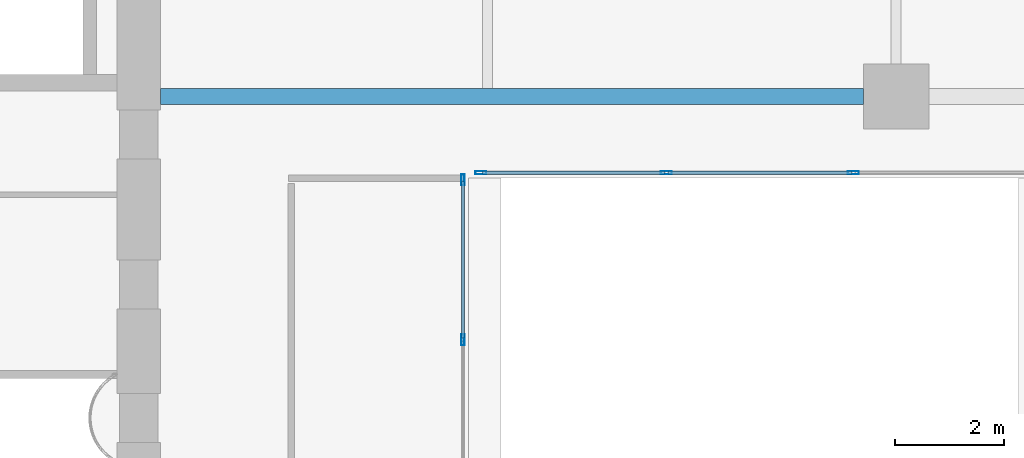
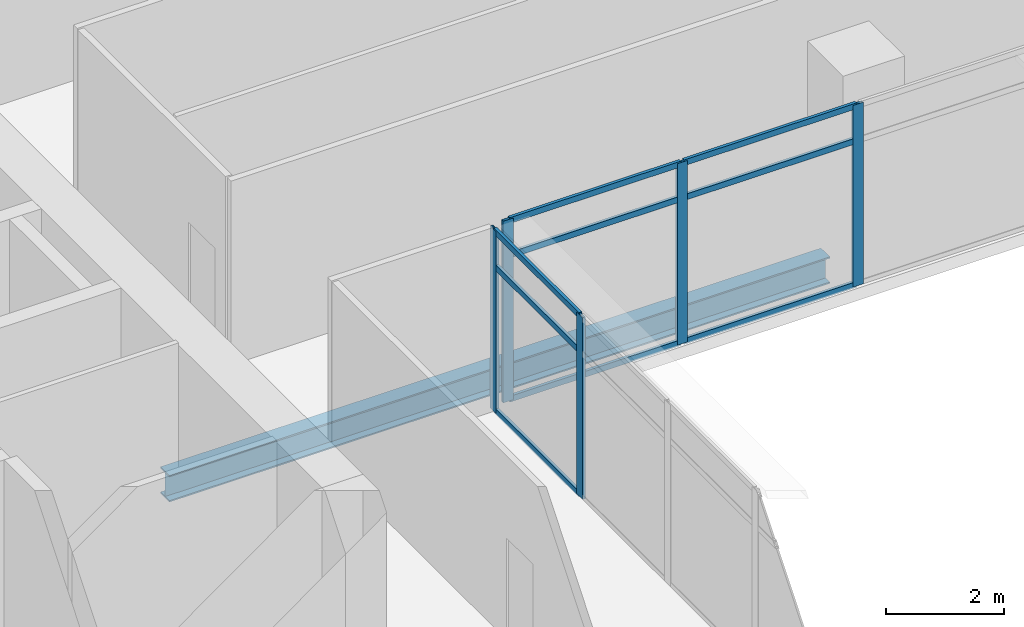
# One storey, part 7 of 38: 14 members, 1 beam, 2 elements without a shape of their own.
"""IFC4 building model written with IfcOpenShell, lengths in metres."""

from ifc_helpers import new_model, si_unit, direction, frame, origin, origin_2d, place, context, subcontext, project, spatial, hollow_rectangle, i_section, extrude, source, transform, mapped, material, material_profile, profile_set, type_object, element, aggregate, save


model = new_model("IFC4")

# Units and contexts
model_context = context("Model", 3, precision=1e-05, world=origin(), true_north=direction((0.0, 1.0)))
body_context = subcontext(model_context, "Body", "Model", "MODEL_VIEW")
ifc_project = project(units=[si_unit("LENGTHUNIT", "METRE"), si_unit("AREAUNIT", "SQUARE_METRE"), si_unit("VOLUMEUNIT", "CUBIC_METRE"), si_unit("PLANEANGLEUNIT", "RADIAN"), si_unit("MASSUNIT", "GRAM", prefix="KILO")], contexts=[model_context])

# Site, building, storey
site_placement = place(None, origin())
site = spatial("IfcSite", under=ifc_project, at=site_placement, CompositionType="ELEMENT")
building_placement = place(site_placement, origin())
building = spatial("IfcBuilding", under=site, at=building_placement, Name="Khomas Fold Tower", CompositionType="ELEMENT")
storey_placement = place(building_placement, frame((0.0, 0.0, 172.699951171875)))
storey = spatial("IfcBuildingStorey", under=building, at=storey_placement, Name="L37", CompositionType="ELEMENT", Elevation=172.699951171875)

# Beam
ifc_material_1 = material(Name="Steel S355", Category="steel")
ifc_material_profile_1 = material_profile(ifc_material_1, i_section(OverallWidth=0.300048828125, OverallDepth=0.550048828125, WebThickness=0.014892578125, FlangeThickness=0.029052734375, at=origin_2d()), Name="HE 550 B")
ifc_profile_set_1 = profile_set([ifc_material_profile_1], Name="Steel S355")
beam_type = type_object("IfcBeamType", Name="HE 550 B beam GB4", PredefinedType="BEAM", material=ifc_profile_set_1)
shared_shape_1 = source(origin(), body_context, "Body", "SweptSolid", [
    extrude(i_section(OverallWidth=0.300048828125, OverallDepth=0.550048828125, WebThickness=0.014892578125, FlangeThickness=0.029052734375, at=origin_2d()), origin(), (0.0, 0.0, 1.0), 12.89990234375),
])
beam_placement = place(storey_placement, frame((21.0, 22.5, -0.52490234375), z_axis=(1.0, 0.0, 0.0), x_axis=(0.0, 1.0, 0.0)))
element("IfcBeam", 1, at=beam_placement, inside=storey, type_object=beam_type, Name="GB4", PredefinedType="BEAM", context=body_context, shape_type="MappedRepresentation", body=[
    mapped(shared_shape_1, transform((0.0, 0.0, 0.0))),
])

# Curtain wall, members
ifc_material_2 = material(Name="Aluminium framed double glazing", Category="aluminium")
curtain_wall_type = type_object("IfcCurtainWallType", Name="Notch glazing GN-CW", PredefinedType="NOTDEFINED", material=ifc_material_2)
curtain_wall_1_placement = place(storey_placement, origin())
curtain_wall_1 = element("IfcCurtainWall", 2, at=curtain_wall_1_placement, inside=storey, type_object=curtain_wall_type, Name="Notch glazing run", PredefinedType="NOTDEFINED")
ifc_material_3 = material(Name="Aluminium", Category="aluminium")
ifc_material_profile_2 = material_profile(ifc_material_3, hollow_rectangle(XDim=0.06005859375, YDim=0.1201171875, WallThickness=0.00390625, at=origin_2d()), Name="Notch glazing transom GN-CW-T")
ifc_profile_set_2 = profile_set([ifc_material_profile_2], Name="Aluminium")
member_type_1 = type_object("IfcMemberType", Name="Notch glazing transom GN-CW-T", PredefinedType="USERDEFINED", material=ifc_profile_set_2)
shared_shape_2 = source(origin(), body_context, "Body", "SweptSolid", [
    extrude(hollow_rectangle(XDim=0.06005859375, YDim=0.1201171875, WallThickness=0.00390625, at=origin_2d()), origin(), (0.0, 0.0, 1.0), 2.876708984375),
])
member_1_placement = place(storey_placement, frame((26.550048828125, 18.063232421875, 0.030029296875), z_axis=(0.0, 1.0, 0.0), x_axis=(-1.0, 0.0, 0.0)))
member_1 = element("IfcMember", 3, at=member_1_placement, type_object=member_type_1, Name="GN-CW transom 6.1", ObjectType="TRANSOM", PredefinedType="USERDEFINED", context=body_context, shape_type="MappedRepresentation", body=[
    mapped(shared_shape_2, transform((0.0, 0.0, 0.0))),
])
member_2_placement = place(storey_placement, frame((26.550048828125, 18.063232421875, 3.0), z_axis=(0.0, 1.0, 0.0), x_axis=(-1.0, 0.0, 0.0)))
member_2 = element("IfcMember", 4, at=member_2_placement, type_object=member_type_1, Name="GN-CW transom 6.2", ObjectType="TRANSOM", PredefinedType="USERDEFINED", context=body_context, shape_type="MappedRepresentation", body=[
    mapped(shared_shape_2, transform((0.0, 0.0, 0.0))),
])
member_3_placement = place(storey_placement, frame((26.550048828125, 18.063232421875, 3.719970703125), z_axis=(0.0, 1.0, 0.0), x_axis=(-1.0, 0.0, 0.0)))
member_3 = element("IfcMember", 5, at=member_3_placement, type_object=member_type_1, Name="GN-CW transom 6.3", ObjectType="TRANSOM", PredefinedType="USERDEFINED", context=body_context, shape_type="MappedRepresentation", body=[
    mapped(shared_shape_2, transform((0.0, 0.0, 0.0))),
])
ifc_material_4 = material(Name="Aluminium", Category="aluminium")
ifc_material_profile_3 = material_profile(ifc_material_4, hollow_rectangle(XDim=0.06005859375, YDim=0.199951171875, WallThickness=0.00390625, at=origin_2d()), Name="Notch glazing mullion GN-CW-M")
ifc_profile_set_3 = profile_set([ifc_material_profile_3], Name="Aluminium")
member_type_2 = type_object("IfcMemberType", Name="Notch glazing mullion GN-CW-M", PredefinedType="MULLION", material=ifc_profile_set_3)
shared_shape_3 = source(origin(), body_context, "Body", "SweptSolid", [
    extrude(hollow_rectangle(XDim=0.06005859375, YDim=0.199951171875, WallThickness=0.00390625, at=origin_2d()), origin(), (0.0, 0.0, 1.0), 3.75),
])
member_4_placement = place(storey_placement, frame((26.550048828125, 18.033447265625, 0.0), z_axis=(0.0, 0.0, 1.0), x_axis=(-1.0, 0.0, 0.0)))
member_4 = element("IfcMember", 6, at=member_4_placement, type_object=member_type_2, Name="GN-CW mullion 6", PredefinedType="MULLION", context=body_context, shape_type="MappedRepresentation", body=[
    mapped(shared_shape_3, transform((0.0, 0.0, 0.0))),
])
member_5_placement = place(storey_placement, frame((26.550048828125, 20.969970703125, 0.0), z_axis=(0.0, 0.0, 1.0), x_axis=(-1.0, 0.0, 0.0)))
member_5 = element("IfcMember", 7, at=member_5_placement, type_object=member_type_2, Name="GN-CW mullion 7", PredefinedType="MULLION", context=body_context, shape_type="MappedRepresentation", body=[
    mapped(shared_shape_3, transform((0.0, 0.0, 0.0))),
])
aggregate(curtain_wall_1, [member_4, member_5, member_1, member_2, member_3])

curtain_wall_2_placement = place(storey_placement, origin())
curtain_wall_2 = element("IfcCurtainWall", 8, at=curtain_wall_2_placement, inside=storey, type_object=curtain_wall_type, Name="Notch glazing run", PredefinedType="NOTDEFINED")
member_6_placement = place(storey_placement, frame((26.8798828125, 21.10009765625, 0.0), z_axis=(0.0, 0.0, 1.0), x_axis=(0.0, 1.0, 0.0)))
member_6 = element("IfcMember", 9, at=member_6_placement, type_object=member_type_2, Name="GN-CW mullion 1", PredefinedType="MULLION", context=body_context, shape_type="MappedRepresentation", body=[
    mapped(shared_shape_3, transform((0.0, 0.0, 0.0))),
])
member_7_placement = place(storey_placement, frame((30.283447265625, 21.10009765625, 0.0), z_axis=(0.0, 0.0, 1.0), x_axis=(0.0, 1.0, 0.0)))
member_7 = element("IfcMember", 10, at=member_7_placement, type_object=member_type_2, Name="GN-CW mullion 2", PredefinedType="MULLION", context=body_context, shape_type="MappedRepresentation", body=[
    mapped(shared_shape_3, transform((0.0, 0.0, 0.0))),
])
member_8_placement = place(storey_placement, frame((33.716552734375, 21.10009765625, 0.0), z_axis=(0.0, 0.0, 1.0), x_axis=(0.0, 1.0, 0.0)))
member_8 = element("IfcMember", 11, at=member_8_placement, type_object=member_type_2, Name="GN-CW mullion 3", PredefinedType="MULLION", context=body_context, shape_type="MappedRepresentation", body=[
    mapped(shared_shape_3, transform((0.0, 0.0, 0.0))),
])
shared_shape_4 = source(origin(), body_context, "Body", "SweptSolid", [
    extrude(hollow_rectangle(XDim=0.06005859375, YDim=0.1201171875, WallThickness=0.00390625, at=origin_2d()), origin(), (0.0, 0.0, 1.0), 3.343505859375),
])
member_9_placement = place(storey_placement, frame((26.909912109375, 21.10009765625, 0.030029296875), z_axis=(1.0, 0.0, 0.0), x_axis=(0.0, 1.0, 0.0)))
member_9 = element("IfcMember", 12, at=member_9_placement, type_object=member_type_1, Name="GN-CW transom 1.1", ObjectType="TRANSOM", PredefinedType="USERDEFINED", context=body_context, shape_type="MappedRepresentation", body=[
    mapped(shared_shape_4, transform((0.0, 0.0, 0.0))),
])
member_10_placement = place(storey_placement, frame((26.909912109375, 21.10009765625, 3.0), z_axis=(1.0, 0.0, 0.0), x_axis=(0.0, 1.0, 0.0)))
member_10 = element("IfcMember", 13, at=member_10_placement, type_object=member_type_1, Name="GN-CW transom 1.2", ObjectType="TRANSOM", PredefinedType="USERDEFINED", context=body_context, shape_type="MappedRepresentation", body=[
    mapped(shared_shape_4, transform((0.0, 0.0, 0.0))),
])
member_11_placement = place(storey_placement, frame((26.909912109375, 21.10009765625, 3.719970703125), z_axis=(1.0, 0.0, 0.0), x_axis=(0.0, 1.0, 0.0)))
member_11 = element("IfcMember", 14, at=member_11_placement, type_object=member_type_1, Name="GN-CW transom 1.3", ObjectType="TRANSOM", PredefinedType="USERDEFINED", context=body_context, shape_type="MappedRepresentation", body=[
    mapped(shared_shape_4, transform((0.0, 0.0, 0.0))),
])
shared_shape_5 = source(origin(), body_context, "Body", "SweptSolid", [
    extrude(hollow_rectangle(XDim=0.06005859375, YDim=0.1201171875, WallThickness=0.00390625, at=origin_2d()), origin(), (0.0, 0.0, 1.0), 3.37353515625),
])
member_12_placement = place(storey_placement, frame((30.313232421875, 21.10009765625, 0.030029296875), z_axis=(1.0, 0.0, 0.0), x_axis=(0.0, 1.0, 0.0)))
member_12 = element("IfcMember", 15, at=member_12_placement, type_object=member_type_1, Name="GN-CW transom 2.1", ObjectType="TRANSOM", PredefinedType="USERDEFINED", context=body_context, shape_type="MappedRepresentation", body=[
    mapped(shared_shape_5, transform((0.0, 0.0, 0.0))),
])
member_13_placement = place(storey_placement, frame((30.313232421875, 21.10009765625, 3.0), z_axis=(1.0, 0.0, 0.0), x_axis=(0.0, 1.0, 0.0)))
member_13 = element("IfcMember", 16, at=member_13_placement, type_object=member_type_1, Name="GN-CW transom 2.2", ObjectType="TRANSOM", PredefinedType="USERDEFINED", context=body_context, shape_type="MappedRepresentation", body=[
    mapped(shared_shape_5, transform((0.0, 0.0, 0.0))),
])
member_14_placement = place(storey_placement, frame((30.313232421875, 21.10009765625, 3.719970703125), z_axis=(1.0, 0.0, 0.0), x_axis=(0.0, 1.0, 0.0)))
member_14 = element("IfcMember", 17, at=member_14_placement, type_object=member_type_1, Name="GN-CW transom 2.3", ObjectType="TRANSOM", PredefinedType="USERDEFINED", context=body_context, shape_type="MappedRepresentation", body=[
    mapped(shared_shape_5, transform((0.0, 0.0, 0.0))),
])
aggregate(curtain_wall_2, [member_6, member_7, member_8, member_9, member_10, member_11, member_12, member_13, member_14])

save(model, "model.ifc")
